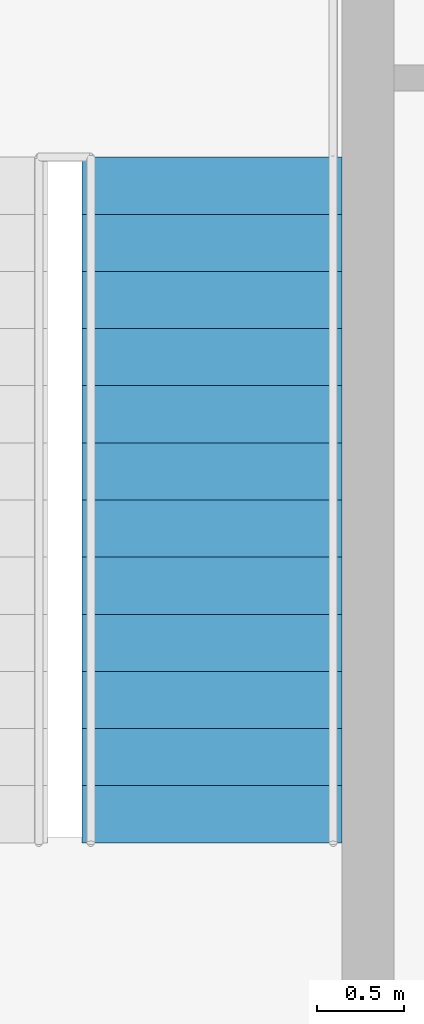
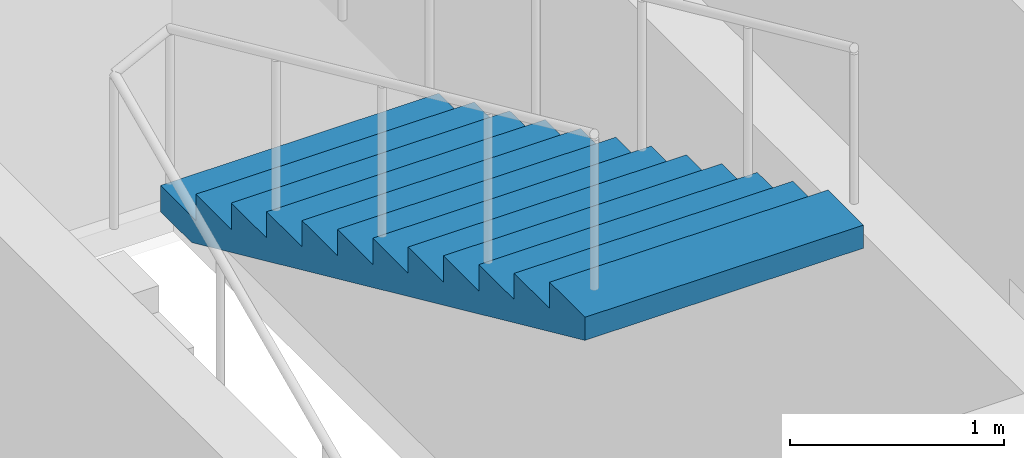
# One storey, part 9 of 10: 1 stair flight, 1 element without a shape of its own.
"""IFC4 building model written with IfcOpenShell, lengths in metres."""

from ifc_helpers import new_model, si_unit, direction, frame, origin, place, context, subcontext, project, spatial, polygons, material, type_object, element, aggregate, save


model = new_model("IFC4")

# Units and contexts
model_context = context("Model", 3, precision=1e-05, world=origin(), true_north=direction((0.0, 1.0)))
body_context = subcontext(model_context, "Body", "Model", "MODEL_VIEW")
ifc_project = project(units=[si_unit("LENGTHUNIT", "METRE"), si_unit("AREAUNIT", "SQUARE_METRE"), si_unit("VOLUMEUNIT", "CUBIC_METRE"), si_unit("PLANEANGLEUNIT", "RADIAN"), si_unit("MASSUNIT", "GRAM", prefix="KILO")], contexts=[model_context])

# Site, building, storey
site_placement = place(None, origin())
site = spatial("IfcSite", under=ifc_project, at=site_placement, CompositionType="ELEMENT")
building_placement = place(site_placement, origin())
building = spatial("IfcBuilding", under=site, at=building_placement, Name="Njiva Tower", CompositionType="ELEMENT")
storey_placement = place(building_placement, frame((0.0, 0.0, 227.7)))
storey = spatial("IfcBuildingStorey", under=building, at=storey_placement, Name="L51", CompositionType="ELEMENT", Elevation=227.7)

# Stair, stair flight
ifc_material = material(Name="Concrete C40/50", Category="concrete")
stair_type = type_object("IfcStairType", Name="ST4 Exit stair 1500", PredefinedType="HALF_TURN_STAIR", material=ifc_material)
stair_placement = place(storey_placement, origin())
stair = element("IfcStair", 1, at=stair_placement, inside=storey, type_object=stair_type, Name="Stair B", PredefinedType="HALF_TURN_STAIR")
stair_flight_type = type_object("IfcStairFlightType", Name="FL4 Stair flight 1500", PredefinedType="STRAIGHT", material=ifc_material)
stair_flight_placement = place(storey_placement, frame((13.45, 15.06, 1.95), z_axis=(0.0, 0.0, 1.0), x_axis=(0.0, -1.0, 0.0)))
stair_flight = element("IfcStairFlight", 2, at=stair_flight_placement, type_object=stair_flight_type, Name="ST-B flight 2", NumberOfRisers=13, NumberOfTreads=12, PredefinedType="STRAIGHT", RiserHeight=0.15, TreadLength=0.33, context=body_context, shape_type="Tessellation", body=[
    polygons([(0.0, 0.75, 0.0), (0.0, 0.375, 0.0), (0.0, 0.0, 0.0), (0.0, -0.375, 0.0), (0.0, -0.75, 0.0), (0.0, 0.75, 0.15), (0.0, 0.375, 0.15), (0.0, 0.0, 0.15), (0.0, -0.375, 0.15), (0.0, -0.75, 0.15), (0.33, 0.75, 0.15), (0.33, 0.375, 0.15), (0.33, 0.0, 0.15), (0.33, -0.375, 0.15), (0.33, -0.75, 0.15), (0.33, 0.75, 0.3), (0.33, 0.375, 0.3), (0.33, 0.0, 0.3), (0.33, -0.375, 0.3), (0.33, -0.75, 0.3), (0.66, 0.75, 0.3), (0.66, 0.375, 0.3), (0.66, 0.0, 0.3), (0.66, -0.375, 0.3), (0.66, -0.75, 0.3), (0.66, 0.75, 0.45), (0.66, 0.375, 0.45), (0.66, 0.0, 0.45), (0.66, -0.375, 0.45), (0.66, -0.75, 0.45), (0.99, 0.75, 0.45), (0.99, 0.375, 0.45), (0.99, 0.0, 0.45), (0.99, -0.375, 0.45), (0.99, -0.75, 0.45), (0.99, 0.75, 0.6), (0.99, 0.375, 0.6), (0.99, 0.0, 0.6), (0.99, -0.375, 0.6), (0.99, -0.75, 0.6), (1.32, 0.75, 0.6), (1.32, 0.375, 0.6), (1.32, 0.0, 0.6), (1.32, -0.375, 0.6), (1.32, -0.75, 0.6), (1.32, 0.75, 0.75), (1.32, 0.375, 0.75), (1.32, 0.0, 0.75), (1.32, -0.375, 0.75), (1.32, -0.75, 0.75), (1.65, 0.75, 0.75), (1.65, 0.375, 0.75), (1.65, 0.0, 0.75), (1.65, -0.375, 0.75), (1.65, -0.75, 0.75), (1.65, 0.75, 0.9), (1.65, 0.375, 0.9), (1.65, 0.0, 0.9), (1.65, -0.375, 0.9), (1.65, -0.75, 0.9), (1.98, 0.75, 0.9), (1.98, 0.375, 0.9), (1.98, 0.0, 0.9), (1.98, -0.375, 0.9), (1.98, -0.75, 0.9), (1.98, 0.75, 1.05), (1.98, 0.375, 1.05), (1.98, 0.0, 1.05), (1.98, -0.375, 1.05), (1.98, -0.75, 1.05), (2.31, 0.75, 1.05), (2.31, 0.375, 1.05), (2.31, 0.0, 1.05), (2.31, -0.375, 1.05), (2.31, -0.75, 1.05), (2.31, 0.75, 1.2), (2.31, 0.375, 1.2), (2.31, 0.0, 1.2), (2.31, -0.375, 1.2), (2.31, -0.75, 1.2), (2.64, 0.75, 1.2), (2.64, 0.375, 1.2), (2.64, 0.0, 1.2), (2.64, -0.375, 1.2), (2.64, -0.75, 1.2), (2.64, 0.75, 1.35), (2.64, 0.375, 1.35), (2.64, 0.0, 1.35), (2.64, -0.375, 1.35), (2.64, -0.75, 1.35), (2.97, 0.75, 1.35), (2.97, 0.375, 1.35), (2.97, 0.0, 1.35), (2.97, -0.375, 1.35), (2.97, -0.75, 1.35), (2.97, 0.75, 1.5), (2.97, 0.375, 1.5), (2.97, 0.0, 1.5), (2.97, -0.375, 1.5), (2.97, -0.75, 1.5), (3.3, 0.75, 1.5), (3.3, 0.375, 1.5), (3.3, 0.0, 1.5), (3.3, -0.375, 1.5), (3.3, -0.75, 1.5), (3.3, 0.75, 1.65), (3.3, 0.375, 1.65), (3.3, 0.0, 1.65), (3.3, -0.375, 1.65), (3.3, -0.75, 1.65), (3.63, 0.75, 1.65), (3.63, 0.375, 1.65), (3.63, 0.0, 1.65), (3.63, -0.375, 1.65), (3.63, -0.75, 1.65), (3.63, 0.75, 1.8), (3.63, 0.375, 1.8), (3.63, 0.0, 1.8), (3.63, -0.375, 1.8), (3.63, -0.75, 1.8), (3.96, 0.75, 1.8), (3.96, 0.375, 1.8), (3.96, 0.0, 1.8), (3.96, -0.375, 1.8), (3.96, -0.75, 1.8), (3.96, 0.75, 1.6682), (3.96, 0.375, 1.6682), (3.96, 0.0, 1.6682), (3.96, -0.375, 1.6682), (3.96, -0.75, 1.6682), (0.29, 0.75, 0.0), (0.29, 0.375, 0.0), (0.29, 0.0, 0.0), (0.29, -0.375, 0.0), (0.29, -0.75, 0.0)], [[[1, 6, 11, 16, 21, 26, 31, 36, 41, 46, 51, 56, 61, 66, 71, 76, 81, 86, 91, 96, 101, 106, 111, 116, 121, 126, 131]], [[135, 130, 125, 120, 115, 110, 105, 100, 95, 90, 85, 80, 75, 70, 65, 60, 55, 50, 45, 40, 35, 30, 25, 20, 15, 10, 5]], [[6, 1, 2, 7]], [[7, 2, 3, 8]], [[8, 3, 4, 9]], [[9, 4, 5, 10]], [[11, 6, 7, 12]], [[12, 7, 8, 13]], [[13, 8, 9, 14]], [[14, 9, 10, 15]], [[16, 11, 12, 17]], [[17, 12, 13, 18]], [[18, 13, 14, 19]], [[19, 14, 15, 20]], [[21, 16, 17, 22]], [[22, 17, 18, 23]], [[23, 18, 19, 24]], [[24, 19, 20, 25]], [[26, 21, 22, 27]], [[27, 22, 23, 28]], [[28, 23, 24, 29]], [[29, 24, 25, 30]], [[31, 26, 27, 32]], [[32, 27, 28, 33]], [[33, 28, 29, 34]], [[34, 29, 30, 35]], [[36, 31, 32, 37]], [[37, 32, 33, 38]], [[38, 33, 34, 39]], [[39, 34, 35, 40]], [[41, 36, 37, 42]], [[42, 37, 38, 43]], [[43, 38, 39, 44]], [[44, 39, 40, 45]], [[46, 41, 42, 47]], [[47, 42, 43, 48]], [[48, 43, 44, 49]], [[49, 44, 45, 50]], [[51, 46, 47, 52]], [[52, 47, 48, 53]], [[53, 48, 49, 54]], [[54, 49, 50, 55]], [[56, 51, 52, 57]], [[57, 52, 53, 58]], [[58, 53, 54, 59]], [[59, 54, 55, 60]], [[61, 56, 57, 62]], [[62, 57, 58, 63]], [[63, 58, 59, 64]], [[64, 59, 60, 65]], [[66, 61, 62, 67]], [[67, 62, 63, 68]], [[68, 63, 64, 69]], [[69, 64, 65, 70]], [[71, 66, 67, 72]], [[72, 67, 68, 73]], [[73, 68, 69, 74]], [[74, 69, 70, 75]], [[76, 71, 72, 77]], [[77, 72, 73, 78]], [[78, 73, 74, 79]], [[79, 74, 75, 80]], [[81, 76, 77, 82]], [[82, 77, 78, 83]], [[83, 78, 79, 84]], [[84, 79, 80, 85]], [[86, 81, 82, 87]], [[87, 82, 83, 88]], [[88, 83, 84, 89]], [[89, 84, 85, 90]], [[91, 86, 87, 92]], [[92, 87, 88, 93]], [[93, 88, 89, 94]], [[94, 89, 90, 95]], [[96, 91, 92, 97]], [[97, 92, 93, 98]], [[98, 93, 94, 99]], [[99, 94, 95, 100]], [[101, 96, 97, 102]], [[102, 97, 98, 103]], [[103, 98, 99, 104]], [[104, 99, 100, 105]], [[106, 101, 102, 107]], [[107, 102, 103, 108]], [[108, 103, 104, 109]], [[109, 104, 105, 110]], [[111, 106, 107, 112]], [[112, 107, 108, 113]], [[113, 108, 109, 114]], [[114, 109, 110, 115]], [[116, 111, 112, 117]], [[117, 112, 113, 118]], [[118, 113, 114, 119]], [[119, 114, 115, 120]], [[121, 116, 117, 122]], [[122, 117, 118, 123]], [[123, 118, 119, 124]], [[124, 119, 120, 125]], [[126, 121, 122, 127]], [[127, 122, 123, 128]], [[128, 123, 124, 129]], [[129, 124, 125, 130]], [[131, 126, 127, 132]], [[132, 127, 128, 133]], [[133, 128, 129, 134]], [[134, 129, 130, 135]], [[1, 131, 132, 2]], [[2, 132, 133, 3]], [[3, 133, 134, 4]], [[4, 134, 135, 5]]], closed=True),
])
aggregate(stair, [stair_flight])

save(model, "model.ifc")
